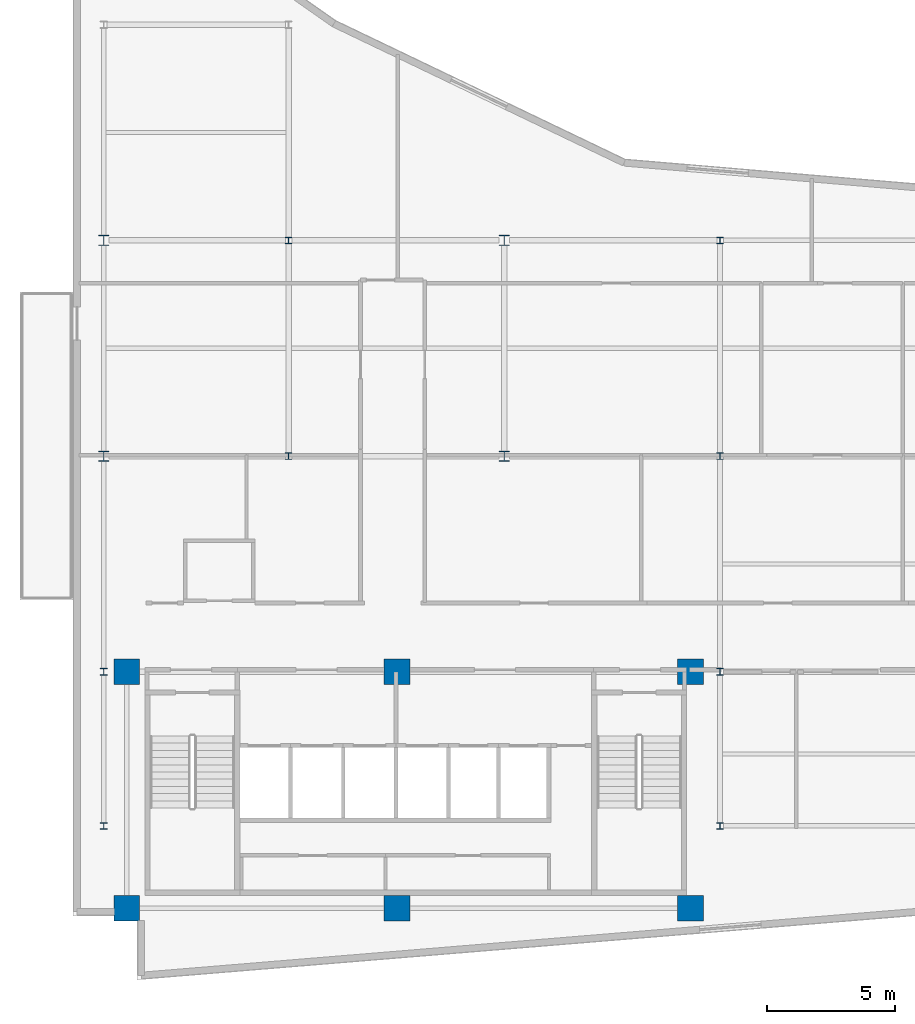
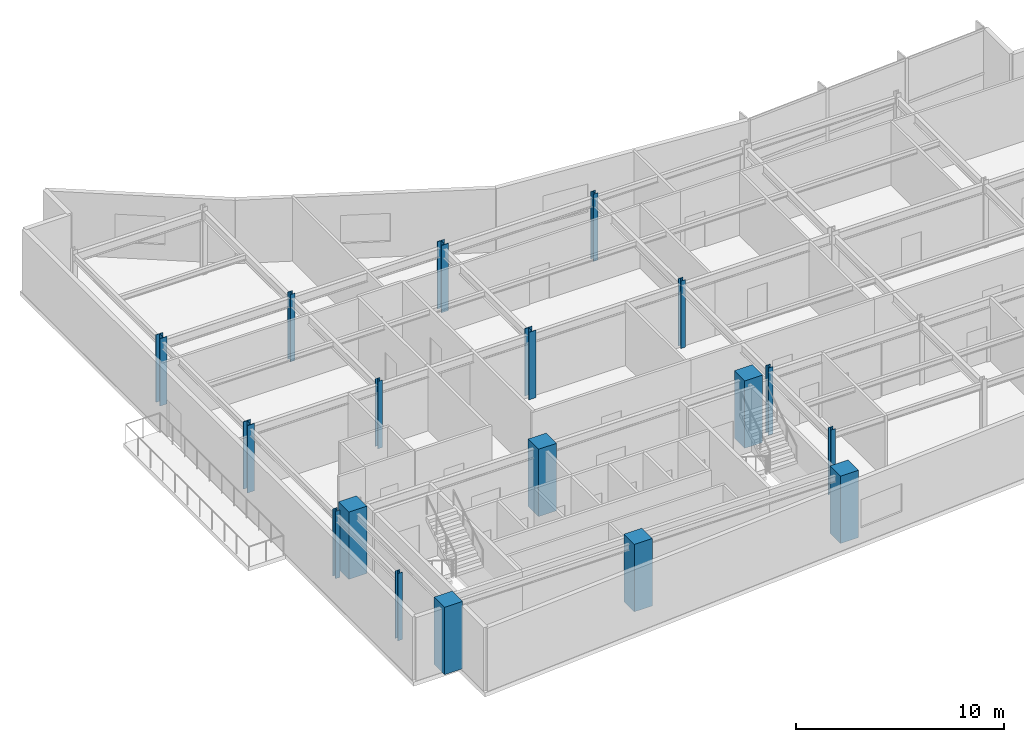
# One storey, part 1 of 15: 18 columns.
"""IFC4 building model written with IfcOpenShell, lengths in metres."""

from ifc_helpers import new_model, si_unit, direction, frame, origin, origin_2d, place, context, subcontext, project, spatial, rectangle, i_section, extrude, material, material_profile, profile_set, type_object, element, save


model = new_model("IFC4")

# Units and contexts
model_context = context("Model", 3, precision=1e-05, world=origin(), true_north=direction((0.0, 1.0)))
body_context = subcontext(model_context, "Body", "Model", "MODEL_VIEW")
ifc_project = project(units=[si_unit("LENGTHUNIT", "METRE"), si_unit("AREAUNIT", "SQUARE_METRE"), si_unit("VOLUMEUNIT", "CUBIC_METRE"), si_unit("PLANEANGLEUNIT", "RADIAN"), si_unit("MASSUNIT", "GRAM", prefix="KILO")], contexts=[model_context])

# Site, building, storey
site_placement = place(None, origin())
site = spatial("IfcSite", under=ifc_project, at=site_placement, CompositionType="ELEMENT")
building_placement = place(site_placement, origin())
building = spatial("IfcBuilding", under=site, at=building_placement, Name="Varnakote Quay Hospital", CompositionType="ELEMENT")
storey_placement = place(building_placement, frame((0.0, 0.0, 207.89990234375)))
storey = spatial("IfcBuildingStorey", under=building, at=storey_placement, Name="L51", CompositionType="ELEMENT", Elevation=207.89990234375)

# Columns
ifc_material_1 = material(Name="Concrete N65 (f'c 65 MPa)", Category="concrete")
ifc_material_profile_1 = material_profile(ifc_material_1, rectangle(XDim=1.0, YDim=1.0, at=origin_2d()), Name="RC-COL-1000x1000")
ifc_profile_set_1 = profile_set([ifc_material_profile_1], Name="Concrete N65 (f'c 65 MPa)")
column_type_1 = type_object("IfcColumnType", Name="COL-RC-1000", PredefinedType="COLUMN", material=ifc_profile_set_1)
for number, where, z_axis, x_axis, name in (
    (1, (2.10009765625, 2.800048828125, 0.0), (0.0, 0.0, 1.0), (1.0, 0.0, 0.0), "L51 Structural Column C-2-3"),
    (2, (12.6201171875, 2.800048828125, 0.0), (0.0, 0.0, 1.0), (1.0, 0.0, 0.0), "L51 Structural Column C-13-3"),
    (3, (24.050048828125, 2.800048828125, 0.0), (0.0, 0.0, 1.0), (1.0, 0.0, 0.0), "L51 Structural Column C-24-3"),
    (4, (2.10009765625, 12.0, 0.0), (0.0, 0.0, 1.0), (1.0, 0.0, 0.0), "L51 Structural Column C-2-12"),
    (5, (12.6201171875, 12.0, 0.0), (0.0, 0.0, 1.0), (1.0, 0.0, 0.0), "L51 Structural Column C-13-12"),
    (6, (24.050048828125, 12.0, 0.0), (0.0, 0.0, 1.0), (1.0, 0.0, 0.0), "L51 Structural Column C-24-12"),
):
    element("IfcColumn", number, at=place(storey_placement, frame(where, z_axis=z_axis, x_axis=x_axis)), inside=storey, type_object=column_type_1, Name=name, PredefinedType="COLUMN", context=body_context, shape_type="SweptSolid", body=[
        extrude(rectangle(XDim=1.0, YDim=1.0, at=origin_2d()), origin(), (0.0, 0.0, 1.0), 3.9501953125),
    ])
ifc_material_2 = material(Name="Structural steel AS/NZS 3679.1 Grade 350 L0 (fy 340 MPa)", Category="steel")
ifc_material_profile_2 = material_profile(ifc_material_2, i_section(OverallWidth=0.256103515625, OverallDepth=0.260009765625, WebThickness=0.010498046875, FlangeThickness=0.017333984375, FilletRadius=0.0126953125, at=origin_2d()), Name="250UC89.5")
ifc_profile_set_2 = profile_set([ifc_material_profile_2], Name="Structural steel AS/NZS 3679.1 Grade 350 L0 (fy 340 MPa)")
column_type_2 = type_object("IfcColumnType", Name="COL-STL-250UC89-5", PredefinedType="COLUMN", material=ifc_profile_set_2)
for number, where, z_axis, x_axis, name in (
    (7, (1.199951171875, 6.0, 0.0), (0.0, 0.0, 1.0), (1.0, 0.0, 0.0), "L51 Structural Column C-1-6"),
    (8, (25.199951171875, 6.0, 0.0), (0.0, 0.0, 1.0), (1.0, 0.0, 0.0), "L51 Structural Column C-25-6"),
    (9, (1.199951171875, 12.0, 0.0), (0.0, 0.0, 1.0), (1.0, 0.0, 0.0), "L51 Structural Column C-1-12"),
    (10, (25.199951171875, 12.0, 0.0), (0.0, 0.0, 1.0), (1.0, 0.0, 0.0), "L51 Structural Column C-25-12"),
    (11, (8.39990234375, 20.39990234375, 0.0), (0.0, 0.0, 1.0), (1.0, 0.0, 0.0), "L51 Structural Column C-8-20"),
    (12, (25.199951171875, 20.39990234375, 0.0), (0.0, 0.0, 1.0), (1.0, 0.0, 0.0), "L51 Structural Column C-25-20"),
    (13, (8.39990234375, 28.800048828125, 0.0), (0.0, 0.0, 1.0), (1.0, 0.0, 0.0), "L51 Structural Column C-8-29"),
    (14, (25.199951171875, 28.800048828125, 0.0), (0.0, 0.0, 1.0), (1.0, 0.0, 0.0), "L51 Structural Column C-25-29"),
):
    element("IfcColumn", number, at=place(storey_placement, frame(where, z_axis=z_axis, x_axis=x_axis)), inside=storey, type_object=column_type_2, Name=name, PredefinedType="COLUMN", context=body_context, shape_type="SweptSolid", body=[
        extrude(i_section(OverallWidth=0.256103515625, OverallDepth=0.260009765625, WebThickness=0.010498046875, FlangeThickness=0.017333984375, FilletRadius=0.0126953125, at=origin_2d()), origin(), (0.0, 0.0, 1.0), 3.9501953125),
    ])
ifc_material_3 = material(Name="Structural steel AS/NZS 3678 Grade 350 (fy 340 MPa)", Category="steel")
ifc_material_profile_3 = material_profile(ifc_material_3, i_section(OverallWidth=0.39990234375, OverallDepth=0.404052734375, WebThickness=0.02001953125, FlangeThickness=0.031982421875, at=origin_2d()), Name="400WC270")
ifc_profile_set_3 = profile_set([ifc_material_profile_3], Name="Structural steel AS/NZS 3678 Grade 350 (fy 340 MPa)")
column_type_3 = type_object("IfcColumnType", Name="COL-STL-400WC270", PredefinedType="COLUMN", material=ifc_profile_set_3)
for number, where, z_axis, x_axis, name in (
    (15, (1.199951171875, 20.39990234375, 0.0), (0.0, 0.0, 1.0), (1.0, 0.0, 0.0), "L51 Structural Column C-1-20"),
    (16, (16.800048828125, 20.39990234375, 0.0), (0.0, 0.0, 1.0), (1.0, 0.0, 0.0), "L51 Structural Column C-17-20"),
    (17, (1.199951171875, 28.800048828125, 0.0), (0.0, 0.0, 1.0), (1.0, 0.0, 0.0), "L51 Structural Column C-1-29"),
    (18, (16.800048828125, 28.800048828125, 0.0), (0.0, 0.0, 1.0), (1.0, 0.0, 0.0), "L51 Structural Column C-17-29"),
):
    element("IfcColumn", number, at=place(storey_placement, frame(where, z_axis=z_axis, x_axis=x_axis)), inside=storey, type_object=column_type_3, Name=name, PredefinedType="COLUMN", context=body_context, shape_type="SweptSolid", body=[
        extrude(i_section(OverallWidth=0.39990234375, OverallDepth=0.404052734375, WebThickness=0.02001953125, FlangeThickness=0.031982421875, at=origin_2d()), origin(), (0.0, 0.0, 1.0), 3.9501953125),
    ])

save(model, "model.ifc")
